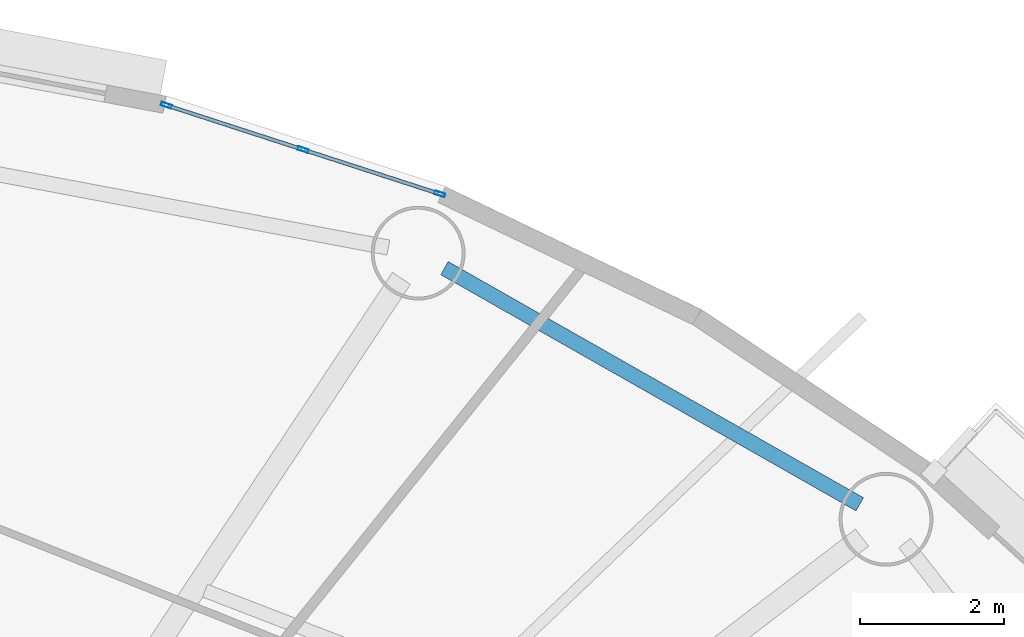
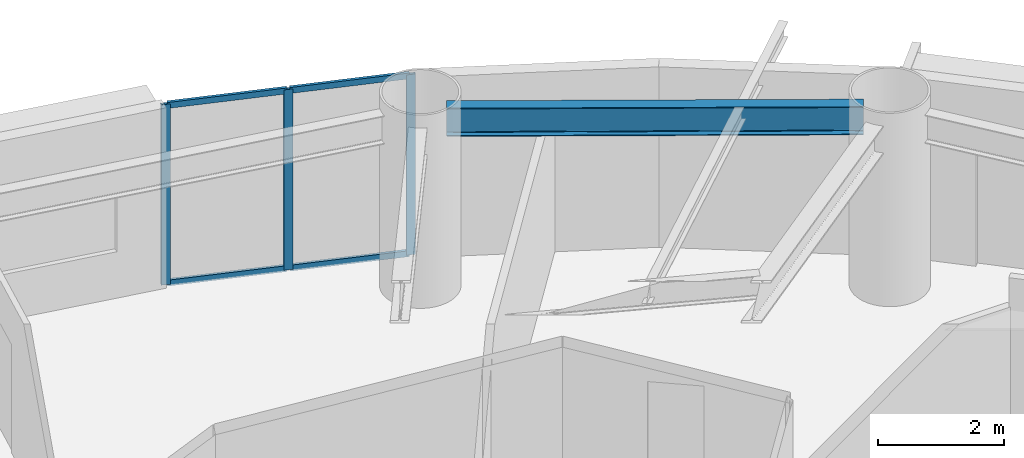
# One storey, part 5 of 18: 7 members, 1 beam, 1 element without a shape of its own.
"""IFC4 building model written with IfcOpenShell, lengths in metres."""

from ifc_helpers import new_model, si_unit, direction, frame, origin, origin_2d, place, context, subcontext, project, spatial, hollow_rectangle, i_section, extrude, source, transform, mapped, material, layer, layer_set, material_profile, profile_set, type_object, element, aggregate, save


model = new_model("IFC4")

# Units and contexts
model_context = context("Model", 3, precision=1e-05, world=origin(), true_north=direction((0.0, 1.0)))
body_context = subcontext(model_context, "Body", "Model", "MODEL_VIEW")
ifc_project = project(units=[si_unit("LENGTHUNIT", "METRE"), si_unit("AREAUNIT", "SQUARE_METRE"), si_unit("VOLUMEUNIT", "CUBIC_METRE"), si_unit("PLANEANGLEUNIT", "RADIAN"), si_unit("MASSUNIT", "GRAM", prefix="KILO")], contexts=[model_context])

# Site, building, storey
site_placement = place(None, origin())
site = spatial("IfcSite", under=ifc_project, at=site_placement, CompositionType="ELEMENT")
building_placement = place(site_placement, origin())
building = spatial("IfcBuilding", under=site, at=building_placement, Name="Linh Dai School and Residence Tower", CompositionType="ELEMENT")
storey_placement = place(building_placement, frame((0.0, 0.0, 159.89990234375)))
storey = spatial("IfcBuildingStorey", under=building, at=storey_placement, Name="L38", CompositionType="ELEMENT", Elevation=159.89990234375)

# Beam
ifc_material_1 = material(Name="Structural Steel S355JR", Category="steel")
ifc_material_profile_1 = material_profile(ifc_material_1, i_section(OverallWidth=0.2099609375, OverallDepth=0.550048828125, WebThickness=0.010986328125, FlangeThickness=0.01708984375, FilletRadius=0.02392578125, at=origin_2d()), Name="IPE 550")
ifc_profile_set_1 = profile_set([ifc_material_profile_1], Name="Structural Steel S355JR")
beam_type = type_object("IfcBeamType", Name="BM-RB55", PredefinedType="BEAM", material=ifc_profile_set_1)
beam_placement = place(storey_placement, frame((53.827392578125, 41.1494140625, 3.22509765625), z_axis=(-0.869262164011, 0.49435138335, 0.0), x_axis=(-0.49435138335, -0.869262164011, 0.0)))
element("IfcBeam", 1, at=beam_placement, inside=storey, type_object=beam_type, Name="L38 Perimeter Elliptical Ring Beam 03", PredefinedType="BEAM", context=body_context, shape_type="SweptSolid", body=[
    extrude(i_section(OverallWidth=0.2099609375, OverallDepth=0.550048828125, WebThickness=0.010986328125, FlangeThickness=0.01708984375, FilletRadius=0.02392578125, at=origin_2d()), origin(), (0.0, 0.0, 1.0), 6.62255859375),
])

# Curtain wall, members
ifc_material_2 = material(Name="Aluminium Anodised Curtain Wall", Category="aluminium")
ifc_layer = layer(ifc_material_2, 0.14990234375)
ifc_layer_set = layer_set([ifc_layer], Name="Aluminium Anodised Curtain Wall")
curtain_wall_type = type_object("IfcCurtainWallType", Name="CW-SYS-4", PredefinedType="USERDEFINED", material=ifc_layer_set)
curtain_wall_placement = place(storey_placement, origin())
curtain_wall = element("IfcCurtainWall", 2, at=curtain_wall_placement, inside=storey, type_object=curtain_wall_type, Name="L38 CW4 Curtain Wall 08", ObjectType="RIBBON CURTAIN WALL", PredefinedType="USERDEFINED")
ifc_material_3 = material(Name="Aluminium Alloy 6063-T6", Category="aluminium")
ifc_material_profile_2 = material_profile(ifc_material_3, hollow_rectangle(XDim=0.052001953125, YDim=0.14990234375, WallThickness=0.00390625, at=origin_2d()), Name="RHS 150x52x4")
ifc_profile_set_2 = profile_set([ifc_material_profile_2], Name="Aluminium Alloy 6063-T6")
member_type_1 = type_object("IfcMemberType", Name="CW-SYS-4-MUL", PredefinedType="MULLION", material=ifc_profile_set_2)
shared_shape_1 = source(origin(), body_context, "Body", "SweptSolid", [
    extrude(hollow_rectangle(XDim=0.052001953125, YDim=0.14990234375, WallThickness=0.00390625, at=origin_2d()), origin(), (0.0, 0.0, 1.0), 3.5),
])
member_1_placement = place(storey_placement, frame((44.2138671875, 46.681396484375, 0.0), z_axis=(0.0, 0.0, 1.0), x_axis=(0.308535707031, 0.951212761419, 0.0)))
member_1 = element("IfcMember", 3, at=member_1_placement, type_object=member_type_1, Name="CW4 mullion 1", PredefinedType="MULLION", context=body_context, shape_type="MappedRepresentation", body=[
    mapped(shared_shape_1, transform((0.0, 0.0, 0.0), x_axis=(1.0, 0.0, 0.0), y_axis=(0.0, 1.0, 0.0), z_axis=(0.0, 0.0, 1.0), scale=1.0)),
])
member_2_placement = place(storey_placement, frame((46.109375, 46.06640625, 0.0), z_axis=(0.0, 0.0, 1.0), x_axis=(0.308535707031, 0.951212761419, 0.0)))
member_2 = element("IfcMember", 4, at=member_2_placement, type_object=member_type_1, Name="CW4 mullion 2", PredefinedType="MULLION", context=body_context, shape_type="MappedRepresentation", body=[
    mapped(shared_shape_1, transform((0.0, 0.0, 0.0), x_axis=(1.0, 0.0, 0.0), y_axis=(0.0, 1.0, 0.0), z_axis=(0.0, 0.0, 1.0), scale=1.0)),
])
member_3_placement = place(storey_placement, frame((48.005126953125, 45.45166015625, 0.0), z_axis=(0.0, 0.0, 1.0), x_axis=(0.308535707031, 0.951212761419, 0.0)))
member_3 = element("IfcMember", 5, at=member_3_placement, type_object=member_type_1, Name="CW4 mullion 3", PredefinedType="MULLION", context=body_context, shape_type="MappedRepresentation", body=[
    mapped(shared_shape_1, transform((0.0, 0.0, 0.0), x_axis=(1.0, 0.0, 0.0), y_axis=(0.0, 1.0, 0.0), z_axis=(0.0, 0.0, 1.0), scale=1.0)),
])
ifc_material_profile_3 = material_profile(ifc_material_3, hollow_rectangle(XDim=0.052001953125, YDim=0.114990234375, WallThickness=0.00390625, at=origin_2d()), Name="RHS 115x52x4")
ifc_profile_set_3 = profile_set([ifc_material_profile_3], Name="Aluminium Alloy 6063-T6")
member_type_2 = type_object("IfcMemberType", Name="CW-SYS-4-TRN", PredefinedType="USERDEFINED", material=ifc_profile_set_3)
shared_shape_2 = source(origin(), body_context, "Body", "SweptSolid", [
    extrude(hollow_rectangle(XDim=0.052001953125, YDim=0.114990234375, WallThickness=0.00390625, at=origin_2d()), origin(), (0.0, 0.0, 1.0), 1.94091796875),
])
member_4_placement = place(storey_placement, frame((44.238525390625, 46.67333984375, 0.026123046875), z_axis=(0.951205857385, -0.308556991294, 0.0), x_axis=(0.308556991294, 0.951205857385, 0.0)))
member_4 = element("IfcMember", 6, at=member_4_placement, type_object=member_type_2, Name="CW4 transom 1.1", ObjectType="TRANSOM", PredefinedType="USERDEFINED", context=body_context, shape_type="MappedRepresentation", body=[
    mapped(shared_shape_2, transform((0.0, 0.0, 0.0), x_axis=(1.0, 0.0, 0.0), y_axis=(0.0, 1.0, 0.0), z_axis=(0.0, 0.0, 1.0), scale=1.0)),
])
member_5_placement = place(storey_placement, frame((44.238525390625, 46.67333984375, 3.47412109375), z_axis=(0.951205857385, -0.308556991294, 0.0), x_axis=(0.308556991294, 0.951205857385, 0.0)))
member_5 = element("IfcMember", 7, at=member_5_placement, type_object=member_type_2, Name="CW4 transom 1.2", ObjectType="TRANSOM", PredefinedType="USERDEFINED", context=body_context, shape_type="MappedRepresentation", body=[
    mapped(shared_shape_2, transform((0.0, 0.0, 0.0), x_axis=(1.0, 0.0, 0.0), y_axis=(0.0, 1.0, 0.0), z_axis=(0.0, 0.0, 1.0), scale=1.0)),
])
member_6_placement = place(storey_placement, frame((46.13427734375, 46.058349609375, 0.026123046875), z_axis=(0.951242770823, -0.308443172978, 0.0), x_axis=(0.308443172978, 0.951242770823, 0.0)))
member_6 = element("IfcMember", 8, at=member_6_placement, type_object=member_type_2, Name="CW4 transom 2.1", ObjectType="TRANSOM", PredefinedType="USERDEFINED", context=body_context, shape_type="MappedRepresentation", body=[
    mapped(shared_shape_2, transform((0.0, 0.0, 0.0), x_axis=(1.0, 0.0, 0.0), y_axis=(0.0, 1.0, 0.0), z_axis=(0.0, 0.0, 1.0), scale=1.0)),
])
member_7_placement = place(storey_placement, frame((46.13427734375, 46.058349609375, 3.47412109375), z_axis=(0.951242770823, -0.308443172978, 0.0), x_axis=(0.308443172978, 0.951242770823, 0.0)))
member_7 = element("IfcMember", 9, at=member_7_placement, type_object=member_type_2, Name="CW4 transom 2.2", ObjectType="TRANSOM", PredefinedType="USERDEFINED", context=body_context, shape_type="MappedRepresentation", body=[
    mapped(shared_shape_2, transform((0.0, 0.0, 0.0), x_axis=(1.0, 0.0, 0.0), y_axis=(0.0, 1.0, 0.0), z_axis=(0.0, 0.0, 1.0), scale=1.0)),
])
aggregate(curtain_wall, [member_1, member_2, member_3, member_4, member_5, member_6, member_7])

save(model, "model.ifc")
